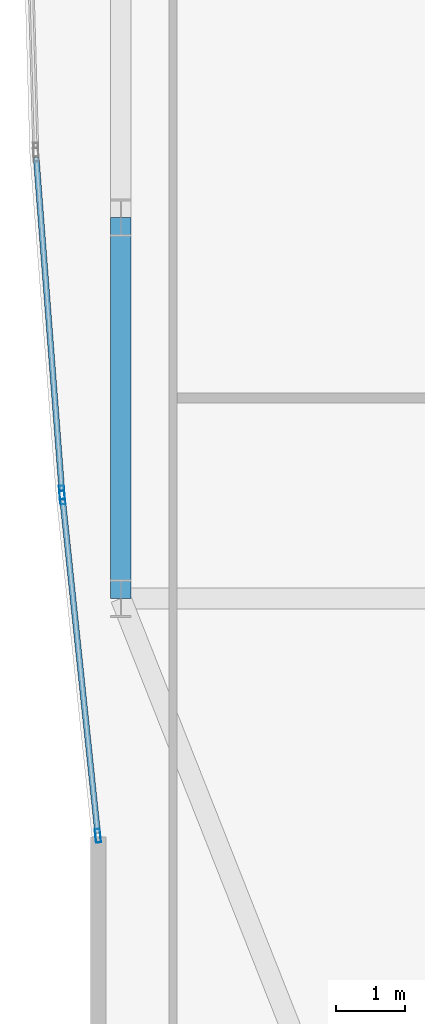
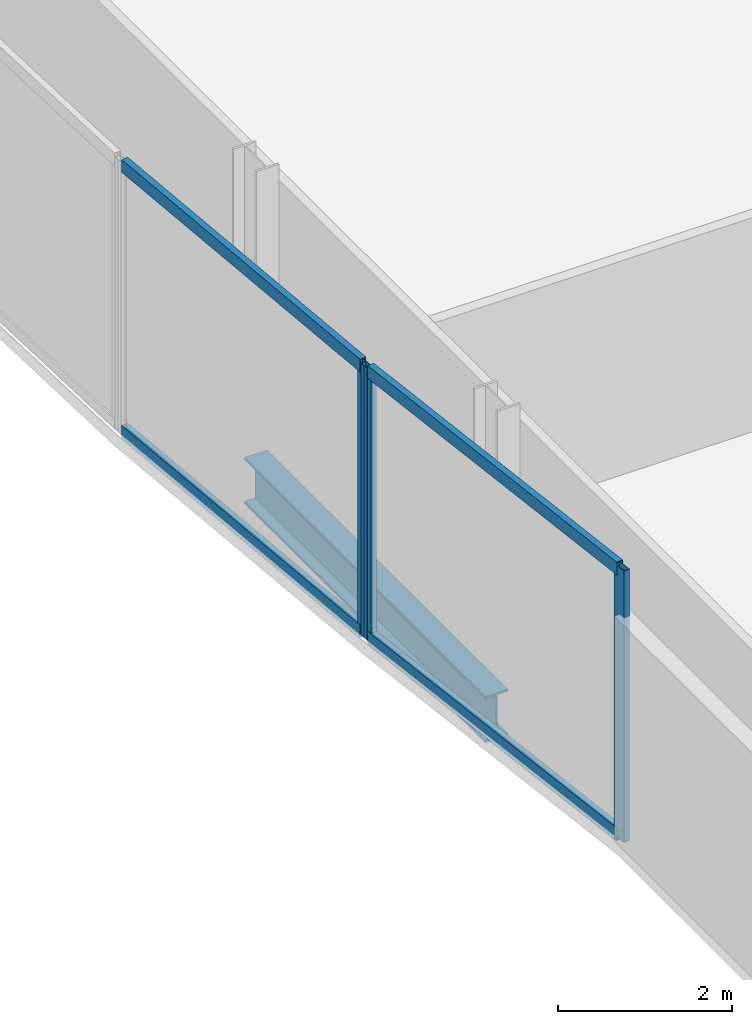
# One storey, part 6 of 30: 7 members, 1 beam, 2 elements without a shape of their own.
"""IFC4 building model written with IfcOpenShell, lengths in metres."""

from ifc_helpers import new_model, si_unit, direction, frame, origin, origin_2d, place, context, subcontext, project, spatial, hollow_rectangle, i_section, extrude, material, material_profile, profile_set, type_object, element, aggregate, save


model = new_model("IFC4")

# Units and contexts
model_context = context("Model", 3, precision=1e-05, world=origin(), true_north=direction((0.0, 1.0)))
body_context = subcontext(model_context, "Body", "Model", "MODEL_VIEW")
ifc_project = project(units=[si_unit("LENGTHUNIT", "METRE"), si_unit("AREAUNIT", "SQUARE_METRE"), si_unit("VOLUMEUNIT", "CUBIC_METRE"), si_unit("PLANEANGLEUNIT", "RADIAN"), si_unit("MASSUNIT", "GRAM", prefix="KILO")], contexts=[model_context])

# Site, building, storey
site_placement = place(None, origin())
site = spatial("IfcSite", under=ifc_project, at=site_placement, CompositionType="ELEMENT")
building_placement = place(site_placement, origin())
building = spatial("IfcBuilding", under=site, at=building_placement, Name="Khoronbel Lancet Exchange", CompositionType="ELEMENT")
storey_placement = place(building_placement, frame((0.0, 0.0, 98.60009765625)))
storey = spatial("IfcBuildingStorey", under=building, at=storey_placement, Name="L23", CompositionType="ELEMENT", Elevation=98.60009765625)

# Beam
ifc_material_1 = material(Name="Steel S355", Category="steel")
ifc_material_profile_1 = material_profile(ifc_material_1, i_section(OverallWidth=0.300048828125, OverallDepth=0.64990234375, WebThickness=0.01611328125, FlangeThickness=0.031005859375, at=origin_2d()), Name="HEB 650")
ifc_profile_set_1 = profile_set([ifc_material_profile_1], Name="Steel S355")
beam_type = type_object("IfcBeamType", Name="BM-BSP1", PredefinedType="SPANDREL", material=ifc_profile_set_1)
beam_placement = place(storey_placement, frame((3.27001953125, 24.75, -0.505126953125), z_axis=(0.0, -1.0, 0.0), x_axis=(1.0, 0.0, 0.0)))
element("IfcBeam", 1, at=beam_placement, inside=storey, type_object=beam_type, Name="Level L23 perimeter spandrel beam SP20", PredefinedType="SPANDREL", context=body_context, shape_type="SweptSolid", body=[
    extrude(i_section(OverallWidth=0.300048828125, OverallDepth=0.64990234375, WebThickness=0.01611328125, FlangeThickness=0.031005859375, at=origin_2d()), origin(), (0.0, 0.0, 1.0), 5.550048828125),
])

# Curtain wall, members
ifc_material_2 = material(Name="Low-E Solar Control Insulating Glass", Category="glass")
curtain_wall_type = type_object("IfcCurtainWallType", Name="CW-4", PredefinedType="NOTDEFINED", material=ifc_material_2)
curtain_wall_1_placement = place(storey_placement, origin())
curtain_wall_1 = element("IfcCurtainWall", 2, at=curtain_wall_1_placement, inside=storey, type_object=curtain_wall_type, Name="Unitised curtain wall CW-L23-E04", PredefinedType="NOTDEFINED")
ifc_material_3 = material(Name="Bronze-Anodised Aluminium 6063-T6", Category="aluminium")
ifc_material_profile_2 = material_profile(ifc_material_3, hollow_rectangle(XDim=0.074951171875, YDim=0.199951171875, WallThickness=0.0048828125, at=origin_2d()), Name="ALU MULLION 75x200")
ifc_profile_set_2 = profile_set([ifc_material_profile_2], Name="Bronze-Anodised Aluminium 6063-T6")
member_type_1 = type_object("IfcMemberType", Name="MEM-CWM2", PredefinedType="MULLION", material=ifc_profile_set_2)
member_1_placement = place(storey_placement, frame((2.93603515625, 15.741943359375, 0.0), z_axis=(0.0, 0.0, 1.0), x_axis=(-0.994531779003, -0.104434383958, 0.0)))
member_1 = element("IfcMember", 3, at=member_1_placement, type_object=member_type_1, Name="CW4 mullion 1", PredefinedType="MULLION", context=body_context, shape_type="SweptSolid", body=[
    extrude(hollow_rectangle(XDim=0.074951171875, YDim=0.199951171875, WallThickness=0.0048828125, at=origin_2d()), origin(), (0.0, 0.0, 1.0), 3.81982421875),
])
member_2_placement = place(storey_placement, frame((2.41845703125, 20.6708984375, 0.0), z_axis=(0.0, 0.0, 1.0), x_axis=(-0.994531779003, -0.104434383958, 0.0)))
member_2 = element("IfcMember", 4, at=member_2_placement, type_object=member_type_1, Name="CW4 mullion 2", PredefinedType="MULLION", context=body_context, shape_type="SweptSolid", body=[
    extrude(hollow_rectangle(XDim=0.074951171875, YDim=0.199951171875, WallThickness=0.0048828125, at=origin_2d()), origin(), (0.0, 0.0, 1.0), 3.81982421875),
])

# Curtain wall, member
curtain_wall_2_placement = place(storey_placement, origin())
curtain_wall_2 = element("IfcCurtainWall", 5, at=curtain_wall_2_placement, inside=storey, type_object=curtain_wall_type, Name="Unitised curtain wall CW-L23-E05", PredefinedType="NOTDEFINED")
member_3_placement = place(storey_placement, frame((2.41162109375, 20.74560546875, 0.0), z_axis=(0.0, 0.0, 1.0), x_axis=(-0.997059882555, -0.076626304874, 0.0)))
member_3 = element("IfcMember", 6, at=member_3_placement, type_object=member_type_1, Name="CW4 mullion 1", PredefinedType="MULLION", context=body_context, shape_type="SweptSolid", body=[
    extrude(hollow_rectangle(XDim=0.074951171875, YDim=0.199951171875, WallThickness=0.0048828125, at=origin_2d()), origin(), (0.0, 0.0, 1.0), 3.81982421875),
])

# Member
ifc_material_profile_3 = material_profile(ifc_material_3, hollow_rectangle(XDim=0.0849609375, YDim=0.179931640625, WallThickness=0.0048828125, at=origin_2d()), Name="ALU TRANSOM 85x180")
ifc_profile_set_3 = profile_set([ifc_material_profile_3], Name="Bronze-Anodised Aluminium 6063-T6")
member_type_2 = type_object("IfcMemberType", Name="MEM-CWT1", PredefinedType="USERDEFINED", material=ifc_profile_set_3)
member_4_placement = place(storey_placement, frame((2.93212890625, 15.779296875, 0.04248046875), z_axis=(-0.104440030005, 0.994531186104, 0.0), x_axis=(-0.994531186104, -0.104440030005, 0.0)))
member_4 = element("IfcMember", 7, at=member_4_placement, type_object=member_type_2, Name="CW4 transom 1.1", ObjectType="TRANSOM", PredefinedType="USERDEFINED", context=body_context, shape_type="SweptSolid", body=[
    extrude(hollow_rectangle(XDim=0.0849609375, YDim=0.179931640625, WallThickness=0.0048828125, at=origin_2d()), origin(), (0.0, 0.0, 1.0), 4.880859375),
])

member_5_placement = place(storey_placement, frame((2.93212890625, 15.779296875, 3.77734375), z_axis=(-0.104440030005, 0.994531186104, 0.0), x_axis=(-0.994531186104, -0.104440030005, 0.0)))
member_5 = element("IfcMember", 8, at=member_5_placement, type_object=member_type_2, Name="CW4 transom 1.2", ObjectType="TRANSOM", PredefinedType="USERDEFINED", context=body_context, shape_type="SweptSolid", body=[
    extrude(hollow_rectangle(XDim=0.0849609375, YDim=0.179931640625, WallThickness=0.0048828125, at=origin_2d()), origin(), (0.0, 0.0, 1.0), 4.880859375),
])

aggregate(curtain_wall_1, [member_1, member_2, member_4, member_5])

member_6_placement = place(storey_placement, frame((2.408935546875, 20.782958984375, 0.04248046875), z_axis=(-0.076638891079, 0.997058915197, 0.0), x_axis=(-0.997058915197, -0.076638891079, 0.0)))
member_6 = element("IfcMember", 9, at=member_6_placement, type_object=member_type_2, Name="CW4 transom 1.1", ObjectType="TRANSOM", PredefinedType="USERDEFINED", context=body_context, shape_type="SweptSolid", body=[
    extrude(hollow_rectangle(XDim=0.0849609375, YDim=0.179931640625, WallThickness=0.0048828125, at=origin_2d()), origin(), (0.0, 0.0, 1.0), 4.861328125),
])

member_7_placement = place(storey_placement, frame((2.408935546875, 20.782958984375, 3.77734375), z_axis=(-0.076638891079, 0.997058915197, 0.0), x_axis=(-0.997058915197, -0.076638891079, 0.0)))
member_7 = element("IfcMember", 10, at=member_7_placement, type_object=member_type_2, Name="CW4 transom 1.2", ObjectType="TRANSOM", PredefinedType="USERDEFINED", context=body_context, shape_type="SweptSolid", body=[
    extrude(hollow_rectangle(XDim=0.0849609375, YDim=0.179931640625, WallThickness=0.0048828125, at=origin_2d()), origin(), (0.0, 0.0, 1.0), 4.861328125),
])

aggregate(curtain_wall_2, [member_3, member_6, member_7])

save(model, "model.ifc")
